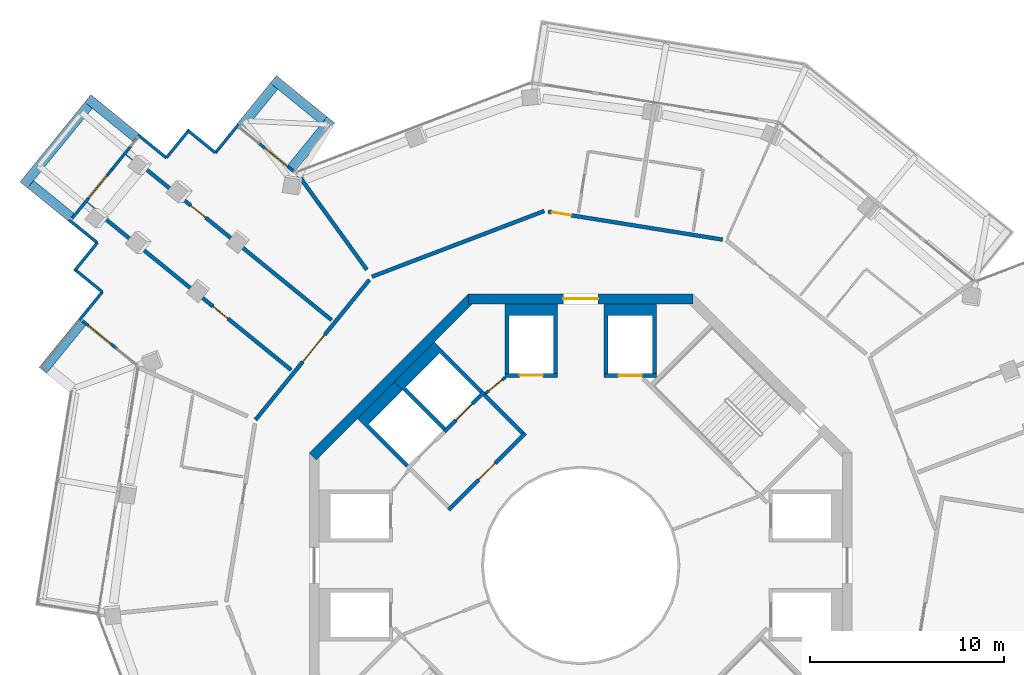
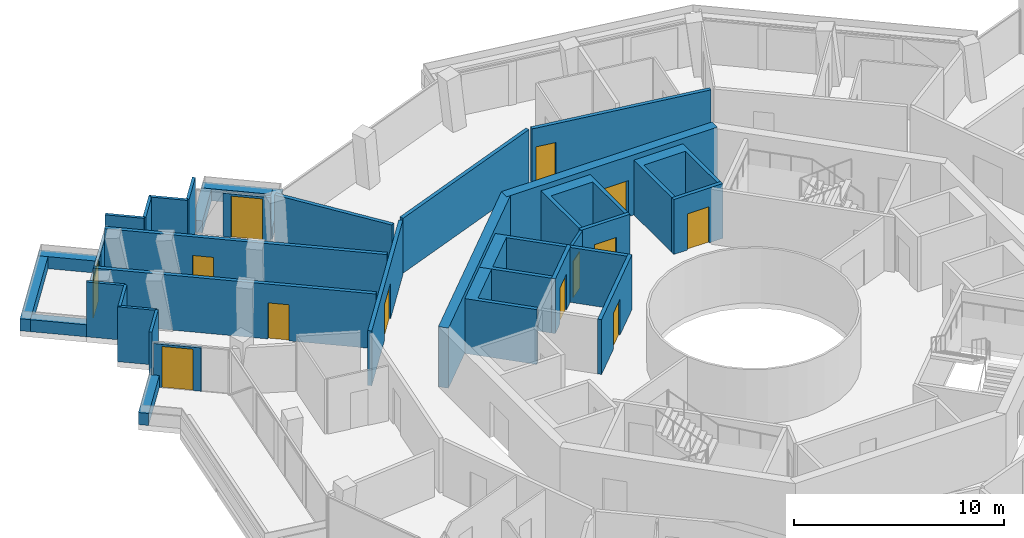
# One storey, part 18 of 23: 37 walls, 13 doors, 13 openings.
"""IFC4 building model written with IfcOpenShell, lengths in metres."""

from ifc_helpers import new_model, si_unit, direction, frame, frame_2d, origin, place, context, subcontext, project, spatial, polyline, rectangle, outline, extrude, material, layer, layer_set, type_object, element, fill, save


model = new_model("IFC4")

# Units and contexts
model_context = context("Model", 3, precision=1e-05, world=origin(), true_north=direction((0.0, 1.0)))
body_context = subcontext(model_context, "Body", "Model", "MODEL_VIEW")
ifc_project = project(units=[si_unit("LENGTHUNIT", "METRE"), si_unit("AREAUNIT", "SQUARE_METRE"), si_unit("VOLUMEUNIT", "CUBIC_METRE"), si_unit("PLANEANGLEUNIT", "RADIAN"), si_unit("MASSUNIT", "GRAM", prefix="KILO")], contexts=[model_context])

# Site, building, storey
site_placement = place(None, origin())
site = spatial("IfcSite", under=ifc_project, at=site_placement, CompositionType="ELEMENT")
building_placement = place(site_placement, origin())
building = spatial("IfcBuilding", under=site, at=building_placement, Name="Verdalira Terraces Hotel", CompositionType="ELEMENT")
storey_placement = place(building_placement, frame((0.0, 0.0, 241.0)))
storey = spatial("IfcBuildingStorey", under=building, at=storey_placement, Name="L59", CompositionType="ELEMENT", Elevation=241.0)

# Walls
ifc_material_1 = material(Name="Concrete C40", Category="concrete")
ifc_layer_1 = layer(ifc_material_1, 0.5)
ifc_layer_set_1 = layer_set([ifc_layer_1], Name="Balcony planter trough with tree")
wall_type_1 = type_object("IfcWallType", Name="Balcony planter trough with tree", PredefinedType="SOLIDWALL", material=ifc_layer_set_1)
wall_1_placement = place(storey_placement, frame((-22.946289, 22.076904, 0.0), z_axis=(0.0, 0.0, 1.0), x_axis=(-0.775810449, 0.630966043, 0.0)))
element("IfcWall", 1, at=wall_1_placement, inside=storey, type_object=wall_type_1, Name="Balcony planter", PredefinedType="SOLIDWALL", context=body_context, shape_type="SweptSolid", body=[
    extrude(rectangle(XDim=3.199219, YDim=0.5, at=frame_2d((1.599609, 0.0))), origin(), (0.0, 0.0, 1.0), 0.699951),
])
wall_2_placement = place(storey_placement, frame((-25.39209, 23.743652, 0.0), z_axis=(0.0, 0.0, 1.0), x_axis=(-0.630949804, -0.775823655, 0.0)))
element("IfcWall", 2, at=wall_2_placement, inside=storey, type_object=wall_type_1, Name="Balcony planter", PredefinedType="SOLIDWALL", context=body_context, shape_type="SweptSolid", body=[
    extrude(rectangle(XDim=5.300049, YDim=0.5, at=frame_2d((2.649902, 0.0))), origin(), (0.0, 0.0, 1.0), 0.699951),
])
wall_3_placement = place(storey_placement, frame((-28.384277, 19.667969, 0.0), z_axis=(0.0, 0.0, 1.0), x_axis=(0.775840005, -0.6309297, 0.0)))
element("IfcWall", 3, at=wall_3_placement, inside=storey, type_object=wall_type_1, Name="Balcony planter", PredefinedType="SOLIDWALL", context=body_context, shape_type="SweptSolid", body=[
    extrude(rectangle(XDim=2.698975, YDim=0.5, at=frame_2d((1.349609, 0.0))), origin(), (0.0, 0.0, 1.0), 0.699951),
])
for number, where, z_axis, x_axis, name in (
    (4, (-25.732422, 12.547607, 0.0), (0.0, 0.0, 1.0), (-0.630920107, -0.775847806, 0.0), "Balcony planter"),
    (5, (-14.912354, 20.50708, 0.0), (0.0, 0.0, 1.0), (0.630920107, 0.775847806, 0.0), "Balcony planter"),
):
    element("IfcWall", number, at=place(storey_placement, frame(where, z_axis=z_axis, x_axis=x_axis)), inside=storey, type_object=wall_type_1, Name=name, PredefinedType="SOLIDWALL", context=body_context, shape_type="SweptSolid", body=[
        extrude(rectangle(XDim=3.198975, YDim=0.5, at=frame_2d((1.599609, 0.0))), origin(), (0.0, 0.0, 1.0), 0.699951),
    ])
wall_4_placement = place(storey_placement, frame((-13.245605, 22.952637, 0.0), z_axis=(0.0, 0.0, 1.0), x_axis=(-0.77581498, 0.630960471, 0.0)))
element("IfcWall", 6, at=wall_4_placement, inside=storey, type_object=wall_type_1, Name="Balcony planter", PredefinedType="SOLIDWALL", context=body_context, shape_type="SweptSolid", body=[
    extrude(rectangle(XDim=3.372559, YDim=0.5, at=frame_2d((1.686279, 0.0))), origin(), (0.0, 0.0, 1.0), 0.699951),
])
wall_5_placement = place(storey_placement, frame((-15.825928, 24.729004, 0.0), z_axis=(0.0, 0.0, 1.0), x_axis=(-0.6309297, -0.775840005, 0.0)))
element("IfcWall", 7, at=wall_5_placement, inside=storey, type_object=wall_type_1, Name="Balcony planter", PredefinedType="SOLIDWALL", context=body_context, shape_type="SweptSolid", body=[
    extrude(rectangle(XDim=2.698975, YDim=0.5, at=frame_2d((1.349609, 0.0))), origin(), (0.0, 0.0, 1.0), 0.699951),
])
ifc_material_2 = material(Name="Concrete C50", Category="concrete")
ifc_layer_2 = layer(ifc_material_2, 0.199951171875)
ifc_layer_set_2 = layer_set([ifc_layer_2], Name="Core RC wall 200 C50")
wall_type_2 = type_object("IfcWallType", Name="Core RC wall 200 C50", PredefinedType="SOLIDWALL", material=ifc_layer_set_2)
wall_6_placement = place(storey_placement, origin())
element("IfcWall", 8, at=wall_6_placement, inside=storey, type_object=wall_type_2, Name="L59 shaft wall N1", PredefinedType="SOLIDWALL", context=body_context, shape_type="SweptSolid", body=[
    extrude(outline(polyline([(3.899902, 9.899902), (3.699951, 9.899902), (3.699951, 12.899902), (1.399902, 12.899902), (1.399902, 9.899902), (1.199951, 9.899902), (1.199951, 13.5), (3.899902, 13.5), (3.899902, 9.899902)])), origin(), (0.0, 0.0, 1.0), 3.189941),
])

# Wall, opening, door
wall_7_placement = place(storey_placement, frame((1.199951, 9.800049, 0.0), z_axis=(0.0, 0.0, 1.0), x_axis=(1.0, 0.0, 0.0)))
wall_7 = element("IfcWall", 9, at=wall_7_placement, inside=storey, type_object=wall_type_2, Name="L59 shaft front wall N1", PredefinedType="SOLIDWALL", context=body_context, shape_type="SweptSolid", body=[
    extrude(rectangle(XDim=2.699951, YDim=0.199951, at=frame_2d((1.350098, 0.0))), origin(), (0.0, 0.0, 1.0), 3.189941),
])
opening_1_placement = place(wall_7_placement, frame((0.75, 0.0, 0.0)))
opening_1 = element("IfcOpeningElement", 10, at=opening_1_placement, cuts=wall_7, Name="Opening LD-L59-804", PredefinedType="OPENING", context=body_context, shape_type="SweptSolid", body=[
    extrude(rectangle(XDim=1.199951, YDim=2.100098, at=frame_2d((0.600098, 1.050049))), frame((0.0, 0.109863, 0.0), z_axis=(0.0, -1.0, 0.0), x_axis=(1.0, 0.0, 0.0)), (0.0, 0.0, 1.0), 0.219971),
])
ifc_material_3 = material(Name="Stainless steel", Category="steel")
door_type_1 = type_object("IfcDoorType", Name="Landing door 1200 x 2100", OperationType="NOTDEFINED", PredefinedType="DOOR", material=ifc_material_3)
door_1_placement = place(opening_1_placement, origin())
door_1 = element("IfcDoor", 11, at=door_1_placement, inside=storey, type_object=door_type_1, Name="Lift landing door HR3 L59", OperationType="DOUBLE_DOOR_SLIDING", OverallHeight=2.10009765625, OverallWidth=1.199951171875, PredefinedType="DOOR", context=body_context, shape_type="SweptSolid", body=[
    extrude(rectangle(XDim=1.199951, YDim=2.100098, at=frame_2d((0.600098, 1.050049))), frame((0.0, 0.024902, 0.0), z_axis=(0.0, -1.0, 0.0), x_axis=(1.0, 0.0, 0.0)), (0.0, 0.0, 1.0), 0.050049),
])
fill(opening_1, door_1)

# Wall
wall_8_placement = place(storey_placement, origin())
element("IfcWall", 12, at=wall_8_placement, inside=storey, type_object=wall_type_2, Name="L59 shaft wall N2", PredefinedType="SOLIDWALL", context=body_context, shape_type="SweptSolid", body=[
    extrude(outline(polyline([(-3.899902, 13.5), (-1.199951, 13.5), (-1.199951, 9.899902), (-1.399902, 9.899902), (-1.399902, 12.899902), (-3.699951, 12.899902), (-3.699951, 9.899902), (-3.899902, 9.899902), (-3.899902, 13.5)])), origin(), (0.0, 0.0, 1.0), 3.189941),
])

# Wall, opening, door
wall_9_placement = place(storey_placement, frame((-1.199951, 9.800049, 0.0), z_axis=(0.0, 0.0, 1.0), x_axis=(-1.0, 0.0, 0.0)))
wall_9 = element("IfcWall", 13, at=wall_9_placement, inside=storey, type_object=wall_type_2, Name="L59 shaft front wall N2", PredefinedType="SOLIDWALL", context=body_context, shape_type="SweptSolid", body=[
    extrude(rectangle(XDim=2.699951, YDim=0.199951, at=frame_2d((1.350098, 0.0))), origin(), (0.0, 0.0, 1.0), 3.189941),
])
opening_2_placement = place(wall_9_placement, frame((0.75, 0.0, 0.0)))
opening_2 = element("IfcOpeningElement", 14, at=opening_2_placement, cuts=wall_9, Name="Opening LD-L59-805", PredefinedType="OPENING", context=body_context, shape_type="SweptSolid", body=[
    extrude(rectangle(XDim=1.199951, YDim=2.100098, at=frame_2d((0.600098, 1.050049))), frame((0.0, 0.109863, 0.0), z_axis=(0.0, -1.0, 0.0), x_axis=(1.0, 0.0, 0.0)), (0.0, 0.0, 1.0), 0.219971),
])
door_2_placement = place(opening_2_placement, origin())
door_2 = element("IfcDoor", 15, at=door_2_placement, inside=storey, type_object=door_type_1, Name="Lift landing door HR4 L59", OperationType="DOUBLE_DOOR_SLIDING", OverallHeight=2.10009765625, OverallWidth=1.199951171875, PredefinedType="DOOR", context=body_context, shape_type="SweptSolid", body=[
    extrude(rectangle(XDim=1.199951, YDim=2.100098, at=frame_2d((0.600098, 1.050049))), frame((0.0, 0.024902, 0.0), z_axis=(0.0, -1.0, 0.0), x_axis=(1.0, 0.0, 0.0)), (0.0, 0.0, 1.0), 0.050049),
])
fill(opening_2, door_2)

# Wall
wall_10_placement = place(storey_placement, origin())
element("IfcWall", 16, at=wall_10_placement, inside=storey, type_object=wall_type_2, Name="L59 shaft wall F1", PredefinedType="SOLIDWALL", context=body_context, shape_type="SweptSolid", body=[
    extrude(outline(polyline([(-9.616699, 9.475098), (-7.565918, 11.525879), (-5.055908, 9.015625), (-5.197266, 8.874268), (-7.283203, 10.960205), (-9.051025, 9.192383), (-6.965088, 7.106445), (-7.106445, 6.965088), (-9.616699, 9.475098)])), origin(), (0.0, 0.0, 1.0), 3.189941),
])

# Wall, opening, door
wall_11_placement = place(storey_placement, frame((-4.985107, 8.944824, 0.0), z_axis=(0.0, 0.0, 1.0), x_axis=(-0.707106781, -0.707106781, 0.0)))
wall_11 = element("IfcWall", 17, at=wall_11_placement, inside=storey, type_object=wall_type_2, Name="L59 shaft front wall F1", PredefinedType="SOLIDWALL", context=body_context, shape_type="SweptSolid", body=[
    extrude(rectangle(XDim=2.899902, YDim=0.199951, at=frame_2d((1.449951, 0.0))), origin(), (0.0, 0.0, 1.0), 3.189941),
])
opening_3_placement = place(wall_11_placement, frame((0.850098, 0.0, 0.0)))
opening_3 = element("IfcOpeningElement", 18, at=opening_3_placement, cuts=wall_11, Name="Opening LD-L59-808", PredefinedType="OPENING", context=body_context, shape_type="SweptSolid", body=[
    extrude(rectangle(XDim=1.199951, YDim=2.100098, at=frame_2d((0.600098, 1.050049))), frame((0.0, 0.109863, 0.0), z_axis=(0.0, -1.0, 0.0), x_axis=(1.0, 0.0, 0.0)), (0.0, 0.0, 1.0), 0.219971),
])
door_3_placement = place(opening_3_placement, origin())
door_3 = element("IfcDoor", 19, at=door_3_placement, inside=storey, type_object=door_type_1, Name="Lift landing door LF11 L59", OperationType="DOUBLE_DOOR_SLIDING", OverallHeight=2.10009765625, OverallWidth=1.199951171875, PredefinedType="DOOR", context=body_context, shape_type="SweptSolid", body=[
    extrude(rectangle(XDim=1.199951, YDim=2.100098, at=frame_2d((0.600098, 1.050049))), frame((0.0, 0.024902, 0.0), z_axis=(0.0, -1.0, 0.0), x_axis=(1.0, 0.0, 0.0)), (0.0, 0.0, 1.0), 0.050049),
])
fill(opening_3, door_3)

# Wall
wall_12_placement = place(storey_placement, origin())
element("IfcWall", 20, at=wall_12_placement, inside=storey, type_object=wall_type_2, Name="L59 shaft wall F2", PredefinedType="SOLIDWALL", context=body_context, shape_type="SweptSolid", body=[
    extrude(outline(polyline([(-11.525879, 7.565918), (-9.616699, 9.475098), (-9.192383, 9.051025), (-10.960205, 7.283203), (-8.874268, 5.197266), (-9.015625, 5.055908), (-11.525879, 7.565918)])), origin(), (0.0, 0.0, 1.0), 3.189941),
])

# Wall, opening, door
wall_13_placement = place(storey_placement, frame((-2.86377, 6.823486, 0.0), z_axis=(0.0, 0.0, 1.0), x_axis=(-0.707106781, -0.707106781, 0.0)))
wall_13 = element("IfcWall", 21, at=wall_13_placement, inside=storey, type_object=wall_type_2, Name="L59 fire lobby wall", PredefinedType="SOLIDWALL", context=body_context, shape_type="SweptSolid", body=[
    extrude(rectangle(XDim=5.599854, YDim=0.199951, at=frame_2d((2.799805, 0.0))), origin(), (0.0, 0.0, 1.0), 3.189941),
])
opening_4_placement = place(wall_13_placement, frame((2.199951, 0.0, 0.0)))
opening_4 = element("IfcOpeningElement", 22, at=opening_4_placement, cuts=wall_13, Name="Opening L59-819", PredefinedType="OPENING", context=body_context, shape_type="SweptSolid", body=[
    extrude(rectangle(XDim=1.199951, YDim=2.100098, at=frame_2d((0.600098, 1.050049))), frame((0.0, 0.109863, 0.0), z_axis=(0.0, -1.0, 0.0), x_axis=(1.0, 0.0, 0.0)), (0.0, 0.0, 1.0), 0.219971),
])
ifc_material_4 = material(Name="Steel fire door", Category="steel")
door_type_2 = type_object("IfcDoorType", Name="Lobby door 1200 x 2100", OperationType="NOTDEFINED", PredefinedType="DOOR", material=ifc_material_4)
door_4_placement = place(opening_4_placement, origin())
door_4 = element("IfcDoor", 23, at=door_4_placement, inside=storey, type_object=door_type_2, Name="Fire lobby door L59", OperationType="SINGLE_SWING_LEFT", OverallHeight=2.10009765625, OverallWidth=1.199951171875, PredefinedType="DOOR", context=body_context, shape_type="SweptSolid", body=[
    extrude(rectangle(XDim=1.199951, YDim=2.100098, at=frame_2d((0.600098, 1.050049))), frame((0.0, 0.024902, 0.0), z_axis=(0.0, -1.0, 0.0), x_axis=(1.0, 0.0, 0.0)), (0.0, 0.0, 1.0), 0.050049),
])
fill(opening_4, door_4)

# Wall
wall_14_placement = place(storey_placement, frame((-3.005127, 6.823486, 0.0), z_axis=(0.0, 0.0, 1.0), x_axis=(-0.707106781, 0.707106781, 0.0)))
element("IfcWall", 24, at=wall_14_placement, inside=storey, type_object=wall_type_2, Name="L59 fire lobby wall", PredefinedType="SOLIDWALL", context=body_context, shape_type="SweptSolid", body=[
    extrude(rectangle(XDim=2.800049, YDim=0.199951, at=frame_2d((1.399902, 0.0))), origin(), (0.0, 0.0, 1.0), 3.189941),
])

# Wall, opening, door
ifc_material_5 = material(Name="Gypsum board partition")
ifc_layer_3 = layer(ifc_material_5, 0.14990234375)
ifc_layer_set_3 = layer_set([ifc_layer_3], Name="Core partition 150 mm")
wall_type_3 = type_object("IfcWallType", Name="Core partition 150 mm", PredefinedType="PARTITIONING", material=ifc_layer_set_3)
wall_15_placement = place(storey_placement, frame((-3.899902, 9.699951, 0.0), z_axis=(0.0, 0.0, 1.0), x_axis=(-0.775559878, -0.631274009, 0.0)))
wall_15 = element("IfcWall", 25, at=wall_15_placement, inside=storey, type_object=wall_type_3, Name="Room partition L59", PredefinedType="PARTITIONING", context=body_context, shape_type="SweptSolid", body=[
    extrude(rectangle(XDim=1.307861, YDim=0.149902, at=frame_2d((0.653809, 0.0))), origin(), (0.0, 0.0, 1.0), 3.189941),
])
opening_5_placement = place(wall_15_placement, frame((0.204102, 0.0, 0.0)))
opening_5 = element("IfcOpeningElement", 26, at=opening_5_placement, cuts=wall_15, Name="Opening L59-820", PredefinedType="OPENING", context=body_context, shape_type="SweptSolid", body=[
    extrude(rectangle(XDim=0.899902, YDim=2.100098, at=frame_2d((0.449951, 1.050049))), frame((0.0, 0.084961, 0.0), z_axis=(0.0, -1.0, 0.0), x_axis=(1.0, 0.0, 0.0)), (0.0, 0.0, 1.0), 0.169922),
])
ifc_material_6 = material(Name="Steel fire door", Category="steel")
door_type_3 = type_object("IfcDoorType", Name="Core room door 900 x 2100", OperationType="NOTDEFINED", PredefinedType="DOOR", material=ifc_material_6)
door_5_placement = place(opening_5_placement, origin())
door_5 = element("IfcDoor", 27, at=door_5_placement, inside=storey, type_object=door_type_3, Name="Door L59 room2", OperationType="SINGLE_SWING_LEFT", OverallHeight=2.10009765625, OverallWidth=0.89990234375, PredefinedType="DOOR", context=body_context, shape_type="SweptSolid", body=[
    extrude(rectangle(XDim=0.899902, YDim=2.100098, at=frame_2d((0.449951, 1.050049))), frame((0.0, 0.024902, 0.0), z_axis=(0.0, -1.0, 0.0), x_axis=(1.0, 0.0, 0.0)), (0.0, 0.0, 1.0), 0.050049),
])
fill(opening_5, door_5)

ifc_material_7 = material(Name="Concrete C50", Category="concrete")
ifc_layer_4 = layer(ifc_material_7, 0.5)
ifc_layer_set_4 = layer_set([ifc_layer_4], Name="Core wall 500 C50")
wall_type_4 = type_object("IfcWallType", Name="Core wall 500 C50", PredefinedType="SHEAR", material=ifc_layer_set_4)
wall_16_placement = place(storey_placement, frame((5.799072, 13.75, 0.0), z_axis=(0.0, 0.0, 1.0), x_axis=(-1.0, 0.0, 0.0)))
wall_16 = element("IfcWall", 28, at=wall_16_placement, inside=storey, type_object=wall_type_4, Name="Core wall CW-L59-3", PredefinedType="SHEAR", context=body_context, shape_type="SweptSolid", body=[
    extrude(rectangle(XDim=11.598145, YDim=0.5, at=frame_2d((5.799072, 0.0))), origin(), (0.0, 0.0, 1.0), 3.5),
])
opening_6_placement = place(wall_16_placement, frame((4.898926, 0.0, 0.0)))
opening_6 = element("IfcOpeningElement", 29, at=opening_6_placement, cuts=wall_16, Name="Opening L59-814", PredefinedType="OPENING", context=body_context, shape_type="SweptSolid", body=[
    extrude(rectangle(XDim=1.800049, YDim=2.100098, at=frame_2d((0.899902, 1.050049))), frame((0.0, 0.26001, 0.0), z_axis=(0.0, -1.0, 0.0), x_axis=(1.0, 0.0, 0.0)), (0.0, 0.0, 1.0), 0.52002),
])
ifc_material_8 = material(Name="Steel fire door", Category="steel")
door_type_4 = type_object("IfcDoorType", Name="Core entry door pair 1800 x 2100", OperationType="NOTDEFINED", PredefinedType="DOOR", material=ifc_material_8)
door_6_placement = place(opening_6_placement, origin())
door_6 = element("IfcDoor", 30, at=door_6_placement, inside=storey, type_object=door_type_4, Name="Core entry door L59 2", OperationType="DOUBLE_DOOR_SINGLE_SWING", OverallHeight=2.10009765625, OverallWidth=1.800048828125, PredefinedType="DOOR", context=body_context, shape_type="SweptSolid", body=[
    extrude(rectangle(XDim=1.800049, YDim=2.100098, at=frame_2d((0.899902, 1.050049))), frame((0.0, 0.024902, 0.0), z_axis=(0.0, -1.0, 0.0), x_axis=(1.0, 0.0, 0.0)), (0.0, 0.0, 1.0), 0.050049),
])
fill(opening_6, door_6)

# Wall
wall_17_placement = place(storey_placement, frame((-5.622314, 13.823242, 0.0), z_axis=(0.0, 0.0, 1.0), x_axis=(-0.707106781, -0.707106781, 0.0)))
element("IfcWall", 31, at=wall_17_placement, inside=storey, type_object=wall_type_4, Name="Core wall CW-L59-4", PredefinedType="SHEAR", context=body_context, shape_type="SweptSolid", body=[
    extrude(rectangle(XDim=11.5979, YDim=0.5, at=frame_2d((5.798828, 0.0))), origin(), (0.0, 0.0, 1.0), 3.5),
])

# Wall, opening, door
ifc_material_9 = material(Name="Fire-rated gypsum board wall")
ifc_layer_5 = layer(ifc_material_9, 0.199951171875)
ifc_layer_set_5 = layer_set([ifc_layer_5], Name="Demising wall 200 mm")
wall_type_5 = type_object("IfcWallType", Name="Demising wall 200 mm", PredefinedType="SOLIDWALL", material=ifc_layer_set_5)
wall_18_placement = place(storey_placement, frame((-14.943359, 10.087891, 0.0), z_axis=(0.0, 0.0, 1.0), x_axis=(-0.775818437, 0.630956222, 0.0)))
wall_18 = element("IfcWall", 32, at=wall_18_placement, inside=storey, type_object=wall_type_5, Name="Demising wall", PredefinedType="SOLIDWALL", context=body_context, shape_type="SweptSolid", body=[
    extrude(rectangle(XDim=13.622559, YDim=0.199951, at=frame_2d((6.811279, 0.0))), origin(), (0.0, 0.0, 1.0), 3.189941),
])
opening_7_placement = place(wall_18_placement, frame((4.199951, 0.0, 0.0)))
opening_7 = element("IfcOpeningElement", 33, at=opening_7_placement, cuts=wall_18, Name="Opening L59-103", PredefinedType="OPENING", context=body_context, shape_type="SweptSolid", body=[
    extrude(rectangle(XDim=1.0, YDim=2.100098, at=frame_2d((0.5, 1.050049))), frame((0.0, 0.109863, 0.0), z_axis=(0.0, -1.0, 0.0), x_axis=(1.0, 0.0, 0.0)), (0.0, 0.0, 1.0), 0.219971),
])
ifc_material_10 = material(Name="Timber fire door", Category="wood")
door_type_5 = type_object("IfcDoorType", Name="Public room door 1000 x 2100", OperationType="NOTDEFINED", PredefinedType="DOOR", material=ifc_material_10)
door_7_placement = place(opening_7_placement, origin())
door_7 = element("IfcDoor", 34, at=door_7_placement, inside=storey, type_object=door_type_5, Name="Public room door 5901", OperationType="SINGLE_SWING_LEFT", OverallHeight=2.10009765625, OverallWidth=1.0, PredefinedType="DOOR", context=body_context, shape_type="SweptSolid", body=[
    extrude(rectangle(XDim=1.0, YDim=2.100098, at=frame_2d((0.5, 1.050049))), frame((0.0, 0.024902, 0.0), z_axis=(0.0, -1.0, 0.0), x_axis=(1.0, 0.0, 0.0)), (0.0, 0.0, 1.0), 0.050049),
])
fill(opening_7, door_7)

wall_19_placement = place(storey_placement, frame((-23.420654, 21.254639, 0.0), z_axis=(0.0, 0.0, 1.0), x_axis=(0.775834344, -0.630936662, 0.0)))
wall_19 = element("IfcWall", 35, at=wall_19_placement, inside=storey, type_object=wall_type_5, Name="Demising wall", PredefinedType="SOLIDWALL", context=body_context, shape_type="SweptSolid", body=[
    extrude(rectangle(XDim=13.622559, YDim=0.199951, at=frame_2d((6.811279, 0.0))), origin(), (0.0, 0.0, 1.0), 3.189941),
])
opening_8_placement = place(wall_19_placement, frame((4.25, 0.0, 0.0)))
opening_8 = element("IfcOpeningElement", 36, at=opening_8_placement, cuts=wall_19, Name="Opening L59-102", PredefinedType="OPENING", context=body_context, shape_type="SweptSolid", body=[
    extrude(rectangle(XDim=1.0, YDim=2.100098, at=frame_2d((0.5, 1.050049))), frame((0.0, 0.109863, 0.0), z_axis=(0.0, -1.0, 0.0), x_axis=(1.0, 0.0, 0.0)), (0.0, 0.0, 1.0), 0.219971),
])
door_8_placement = place(opening_8_placement, origin())
door_8 = element("IfcDoor", 37, at=door_8_placement, inside=storey, type_object=door_type_5, Name="Public room door 5901", OperationType="SINGLE_SWING_LEFT", OverallHeight=2.10009765625, OverallWidth=1.0, PredefinedType="DOOR", context=body_context, shape_type="SweptSolid", body=[
    extrude(rectangle(XDim=1.0, YDim=2.100098, at=frame_2d((0.5, 1.050049))), frame((0.0, 0.024902, 0.0), z_axis=(0.0, -1.0, 0.0), x_axis=(1.0, 0.0, 0.0)), (0.0, 0.0, 1.0), 0.050049),
])
fill(opening_8, door_8)

# Wall
ifc_material_11 = material(Name="Fire-rated gypsum board wall")
ifc_layer_6 = layer(ifc_material_11, 0.199951171875)
ifc_layer_set_6 = layer_set([ifc_layer_6], Name="Demising wall 200 mm to beam soffit")
wall_type_6 = type_object("IfcWallType", Name="Demising wall 200 mm to beam soffit", PredefinedType="SOLIDWALL", material=ifc_layer_set_6)
wall_20_placement = place(storey_placement, frame((-14.631104, 20.227051, 0.0), z_axis=(0.0, 0.0, 1.0), x_axis=(0.58609365, -0.810243317, 0.0)))
element("IfcWall", 38, at=wall_20_placement, inside=storey, type_object=wall_type_6, Name="Demising wall", PredefinedType="SOLIDWALL", context=body_context, shape_type="SweptSolid", body=[
    extrude(rectangle(XDim=6.13208, YDim=0.199951, at=frame_2d((3.065918, 0.0))), origin(), (0.0, 0.0, 1.0), 2.689941),
])

# Wall, opening, door
ifc_material_12 = material(Name="Fire-rated gypsum board wall")
ifc_layer_7 = layer(ifc_material_12, 0.199951171875)
ifc_layer_set_7 = layer_set([ifc_layer_7], Name="Guest corridor wall 200 mm")
wall_type_7 = type_object("IfcWallType", Name="Guest corridor wall 200 mm", PredefinedType="SOLIDWALL", material=ifc_layer_set_7)
wall_21_placement = place(storey_placement, frame((-16.779541, 7.512939, 0.0), z_axis=(0.0, 0.0, 1.0), x_axis=(0.630941799, 0.775830166, 0.0)))
wall_21 = element("IfcWall", 39, at=wall_21_placement, inside=storey, type_object=wall_type_7, Name="Guest corridor wall", PredefinedType="SOLIDWALL", context=body_context, shape_type="SweptSolid", body=[
    extrude(rectangle(XDim=9.316406, YDim=0.199951, at=frame_2d((4.658203, 0.0))), origin(), (0.0, 0.0, 1.0), 3.189941),
])
opening_9_placement = place(wall_21_placement, frame((3.856445, 0.0, 0.0)))
opening_9 = element("IfcOpeningElement", 40, at=opening_9_placement, cuts=wall_21, Name="Opening L59-101", PredefinedType="OPENING", context=body_context, shape_type="SweptSolid", body=[
    extrude(rectangle(XDim=1.800049, YDim=2.100098, at=frame_2d((0.899902, 1.050049))), frame((0.0, 0.109863, 0.0), z_axis=(0.0, -1.0, 0.0), x_axis=(1.0, 0.0, 0.0)), (0.0, 0.0, 1.0), 0.219971),
])
ifc_material_13 = material(Name="Timber fire door", Category="wood")
door_type_6 = type_object("IfcDoorType", Name="Public room double door 1800 x 2100", OperationType="NOTDEFINED", PredefinedType="DOOR", material=ifc_material_13)
door_9_placement = place(opening_9_placement, origin())
door_9 = element("IfcDoor", 41, at=door_9_placement, inside=storey, type_object=door_type_6, Name="Public room double door 5901", OperationType="DOUBLE_DOOR_SINGLE_SWING", OverallHeight=2.10009765625, OverallWidth=1.800048828125, PredefinedType="DOOR", context=body_context, shape_type="SweptSolid", body=[
    extrude(rectangle(XDim=1.800049, YDim=2.100098, at=frame_2d((0.899902, 1.050049))), frame((0.0, 0.024902, 0.0), z_axis=(0.0, -1.0, 0.0), x_axis=(1.0, 0.0, 0.0)), (0.0, 0.0, 1.0), 0.050049),
])
fill(opening_9, door_9)

# Wall
wall_22_placement = place(storey_placement, frame((-1.883789, 18.287842, 0.0), z_axis=(0.0, 0.0, 1.0), x_axis=(-0.934333208, -0.356400696, 0.0)))
element("IfcWall", 42, at=wall_22_placement, inside=storey, type_object=wall_type_7, Name="Guest corridor wall", PredefinedType="SOLIDWALL", context=body_context, shape_type="SweptSolid", body=[
    extrude(rectangle(XDim=9.516357, YDim=0.199951, at=frame_2d((4.758301, 0.0))), origin(), (0.0, 0.0, 1.0), 3.189941),
])

# Wall, opening, door
wall_23_placement = place(storey_placement, frame((-1.685303, 18.256348, 0.0), z_axis=(0.0, 0.0, 1.0), x_axis=(0.987355758, -0.158520051, 0.0)))
wall_23 = element("IfcWall", 43, at=wall_23_placement, inside=storey, type_object=wall_type_7, Name="Guest corridor wall", PredefinedType="SOLIDWALL", context=body_context, shape_type="SweptSolid", body=[
    extrude(rectangle(XDim=9.115967, YDim=0.199951, at=frame_2d((4.558105, 0.0))), origin(), (0.0, 0.0, 1.0), 3.189941),
])
opening_10_placement = place(wall_23_placement, frame((0.199951, 0.0, 0.0)))
opening_10 = element("IfcOpeningElement", 44, at=opening_10_placement, cuts=wall_23, Name="Opening L59-127", PredefinedType="OPENING", context=body_context, shape_type="SweptSolid", body=[
    extrude(rectangle(XDim=1.0, YDim=2.100098, at=frame_2d((0.5, 1.050049))), frame((0.0, 0.109863, 0.0), z_axis=(0.0, -1.0, 0.0), x_axis=(1.0, 0.0, 0.0)), (0.0, 0.0, 1.0), 0.219971),
])
ifc_material_14 = material(Name="Timber fire door", Category="wood")
door_type_7 = type_object("IfcDoorType", Name="Guest entry door 1000 x 2100", OperationType="NOTDEFINED", PredefinedType="DOOR", material=ifc_material_14)
door_10_placement = place(opening_10_placement, origin())
door_10 = element("IfcDoor", 45, at=door_10_placement, inside=storey, type_object=door_type_7, Name="Guest entry door 5910", OperationType="SINGLE_SWING_LEFT", OverallHeight=2.10009765625, OverallWidth=1.0, PredefinedType="DOOR", context=body_context, shape_type="SweptSolid", body=[
    extrude(rectangle(XDim=1.0, YDim=2.100098, at=frame_2d((0.5, 1.050049))), frame((0.0, 0.024902, 0.0), z_axis=(0.0, -1.0, 0.0), x_axis=(1.0, 0.0, 0.0)), (0.0, 0.0, 1.0), 0.050049),
])
fill(opening_10, door_10)

# Walls
ifc_material_15 = material(Name="Terracotta cladding", Category="masonry")
ifc_layer_8 = layer(ifc_material_15, 0.14990234375)
ifc_layer_set_8 = layer_set([ifc_layer_8], Name="Terracotta clad wall 150")
wall_type_8 = type_object("IfcWallType", Name="Terracotta clad wall 150", PredefinedType="SOLIDWALL", material=ifc_layer_set_8)
wall_24_placement = place(storey_placement, frame((-17.665283, 22.744629, 0.0), z_axis=(0.0, 0.0, 1.0), x_axis=(-0.630930769, -0.775839136, 0.0)))
element("IfcWall", 46, at=wall_24_placement, inside=storey, type_object=wall_type_8, Name="Terracotta cladding wall", PredefinedType="SOLIDWALL", context=body_context, shape_type="SweptSolid", body=[
    extrude(rectangle(XDim=1.875244, YDim=0.149902, at=frame_2d((0.9375, 0.0))), origin(), (0.0, 0.0, 1.0), 3.189941),
])
wall_25_placement = place(storey_placement, frame((-18.848389, 21.289795, 0.0), z_axis=(0.0, 0.0, 1.0), x_axis=(-0.775815203, 0.630960197, 0.0)))
element("IfcWall", 47, at=wall_25_placement, inside=storey, type_object=wall_type_8, Name="Terracotta cladding wall", PredefinedType="SOLIDWALL", context=body_context, shape_type="SweptSolid", body=[
    extrude(rectangle(XDim=1.800049, YDim=0.149902, at=frame_2d((0.899902, 0.0))), origin(), (0.0, 0.0, 1.0), 3.189941),
])
wall_26_placement = place(storey_placement, frame((-20.19751, 22.483887, 0.0), z_axis=(0.0, 0.0, 1.0), x_axis=(-0.630930769, -0.775839136, 0.0)))
element("IfcWall", 48, at=wall_26_placement, inside=storey, type_object=wall_type_8, Name="Terracotta cladding wall", PredefinedType="SOLIDWALL", context=body_context, shape_type="SweptSolid", body=[
    extrude(rectangle(XDim=1.875244, YDim=0.149902, at=frame_2d((0.9375, 0.0))), origin(), (0.0, 0.0, 1.0), 3.189941),
])
for number, where, z_axis, x_axis, name in (
    (49, (-21.380615, 21.029053, 0.0), (0.0, 0.0, 1.0), (-0.7757873, 0.630994504, 0.0), "Terracotta cladding wall"),
    (50, (-26.399902, 17.828857, 0.0), (0.0, 0.0, 1.0), (0.7757873, -0.630994504, 0.0), "Terracotta cladding wall"),
):
    element("IfcWall", number, at=place(storey_placement, frame(where, z_axis=z_axis, x_axis=x_axis)), inside=storey, type_object=wall_type_8, Name=name, PredefinedType="SOLIDWALL", context=body_context, shape_type="SweptSolid", body=[
        extrude(rectangle(XDim=1.875, YDim=0.149902, at=frame_2d((0.9375, 0.0))), origin(), (0.0, 0.0, 1.0), 3.189941),
    ])
wall_27_placement = place(storey_placement, frame((-24.945312, 16.645752, 0.0), z_axis=(0.0, 0.0, 1.0), x_axis=(-0.630960197, -0.775815203, 0.0)))
element("IfcWall", 51, at=wall_27_placement, inside=storey, type_object=wall_type_8, Name="Terracotta cladding wall", PredefinedType="SOLIDWALL", context=body_context, shape_type="SweptSolid", body=[
    extrude(rectangle(XDim=1.800049, YDim=0.149902, at=frame_2d((0.899902, 0.0))), origin(), (0.0, 0.0, 1.0), 3.189941),
])
for number, where, z_axis, x_axis, name in (
    (52, (-26.13916, 15.296631, 0.0), (0.0, 0.0, 1.0), (0.7757873, -0.630994504, 0.0), "Terracotta cladding wall"),
    (53, (-24.68457, 14.113525, 0.0), (0.0, 0.0, 1.0), (-0.630994504, -0.7757873, 0.0), "Terracotta cladding wall"),
):
    element("IfcWall", number, at=place(storey_placement, frame(where, z_axis=z_axis, x_axis=x_axis)), inside=storey, type_object=wall_type_8, Name=name, PredefinedType="SOLIDWALL", context=body_context, shape_type="SweptSolid", body=[
        extrude(rectangle(XDim=1.875, YDim=0.149902, at=frame_2d((0.9375, 0.0))), origin(), (0.0, 0.0, 1.0), 3.189941),
    ])
ifc_material_16 = material(Name="Terracotta cladding", Category="masonry")
ifc_layer_9 = layer(ifc_material_16, 0.14990234375)
ifc_layer_set_9 = layer_set([ifc_layer_9], Name="Terracotta column pier 150")
wall_type_9 = type_object("IfcWallType", Name="Terracotta column pier 150", PredefinedType="SOLIDWALL", material=ifc_layer_set_9)
wall_28_placement = place(storey_placement, frame((-23.196533, 21.648926, 0.0), z_axis=(0.0, 0.0, 1.0), x_axis=(-0.63100817, -0.775776185, 0.0)))
element("IfcWall", 54, at=wall_28_placement, inside=storey, type_object=wall_type_9, Name="Terracotta column pier", PredefinedType="SOLIDWALL", context=body_context, shape_type="SweptSolid", body=[
    extrude(rectangle(XDim=1.570068, YDim=0.149902, at=frame_2d((0.785156, 0.0))), origin(), (0.0, 0.0, 1.0), 2.524902),
])

# Wall, opening, door
ifc_material_17 = material(Name="Terracotta cladding", Category="masonry")
ifc_layer_10 = layer(ifc_material_17, 0.14990234375)
ifc_layer_set_10 = layer_set([ifc_layer_10], Name="Terracotta door pier 150")
wall_type_10 = type_object("IfcWallType", Name="Terracotta door pier 150", PredefinedType="SOLIDWALL", material=ifc_layer_set_10)
wall_29_placement = place(storey_placement, frame((-14.820801, 20.334473, 0.0), z_axis=(0.0, 0.0, 1.0), x_axis=(-0.775831445, 0.630940226, 0.0)))
wall_29 = element("IfcWall", 55, at=wall_29_placement, inside=storey, type_object=wall_type_10, Name="Terracotta door pier", PredefinedType="SOLIDWALL", context=body_context, shape_type="SweptSolid", body=[
    extrude(rectangle(XDim=2.300049, YDim=0.149902, at=frame_2d((1.149902, 0.0))), origin(), (0.0, 0.0, 1.0), 2.524902),
])
opening_11_placement = place(wall_29_placement, frame((0.399902, 0.0, 0.0)))
opening_11 = element("IfcOpeningElement", 56, at=opening_11_placement, cuts=wall_29, Name="Opening L59-B01", PredefinedType="OPENING", context=body_context, shape_type="SweptSolid", body=[
    extrude(rectangle(XDim=1.5, YDim=2.399902, at=frame_2d((0.75, 1.199951))), frame((0.0, 0.084961, 0.0), z_axis=(0.0, -1.0, 0.0), x_axis=(1.0, 0.0, 0.0)), (0.0, 0.0, 1.0), 0.169922),
])
ifc_material_18 = material(Name="Clear glass", Category="glass")
door_type_8 = type_object("IfcDoorType", Name="Balcony sliding door 1500x2400", OperationType="NOTDEFINED", PredefinedType="DOOR", material=ifc_material_18)
door_11_placement = place(opening_11_placement, origin())
door_11 = element("IfcDoor", 57, at=door_11_placement, inside=storey, type_object=door_type_8, Name="Balcony sliding door", OperationType="SLIDING_TO_LEFT", OverallHeight=2.39990234375, OverallWidth=1.5, PredefinedType="DOOR", context=body_context, shape_type="SweptSolid", body=[
    extrude(rectangle(XDim=1.5, YDim=2.399902, at=frame_2d((0.75, 1.199951))), frame((0.0, 0.024902, 0.0), z_axis=(0.0, -1.0, 0.0), x_axis=(1.0, 0.0, 0.0)), (0.0, 0.0, 1.0), 0.050049),
])
fill(opening_11, door_11)

wall_30_placement = place(storey_placement, frame((-24.187256, 20.430908, 0.0), z_axis=(0.0, 0.0, 1.0), x_axis=(-0.630930882, -0.775839044, 0.0)))
wall_30 = element("IfcWall", 58, at=wall_30_placement, inside=storey, type_object=wall_type_10, Name="Terracotta door pier", PredefinedType="SOLIDWALL", context=body_context, shape_type="SweptSolid", body=[
    extrude(rectangle(XDim=3.26001, YDim=0.149902, at=frame_2d((1.629883, 0.0))), origin(), (0.0, 0.0, 1.0), 2.524902),
])
opening_12_placement = place(wall_30_placement, frame((0.399902, 0.0, 0.0)))
opening_12 = element("IfcOpeningElement", 59, at=opening_12_placement, cuts=wall_30, Name="Opening L59-B02", PredefinedType="OPENING", context=body_context, shape_type="SweptSolid", body=[
    extrude(rectangle(XDim=1.5, YDim=2.399902, at=frame_2d((0.75, 1.199951))), frame((0.0, 0.084961, 0.0), z_axis=(0.0, -1.0, 0.0), x_axis=(1.0, 0.0, 0.0)), (0.0, 0.0, 1.0), 0.169922),
])
door_12_placement = place(opening_12_placement, origin())
door_12 = element("IfcDoor", 60, at=door_12_placement, inside=storey, type_object=door_type_8, Name="Balcony sliding door", OperationType="SLIDING_TO_RIGHT", OverallHeight=2.39990234375, OverallWidth=1.5, PredefinedType="DOOR", context=body_context, shape_type="SweptSolid", body=[
    extrude(rectangle(XDim=1.5, YDim=2.399902, at=frame_2d((0.75, 1.199951))), frame((0.0, 0.024902, 0.0), z_axis=(0.0, -1.0, 0.0), x_axis=(1.0, 0.0, 0.0)), (0.0, 0.0, 1.0), 0.050049),
])
fill(opening_12, door_12)

wall_31_placement = place(storey_placement, frame((-25.707764, 12.625488, 0.0), z_axis=(0.0, 0.0, 1.0), x_axis=(0.775831445, -0.630940226, 0.0)))
wall_31 = element("IfcWall", 61, at=wall_31_placement, inside=storey, type_object=wall_type_10, Name="Terracotta door pier", PredefinedType="SOLIDWALL", context=body_context, shape_type="SweptSolid", body=[
    extrude(rectangle(XDim=2.300049, YDim=0.149902, at=frame_2d((1.149902, 0.0))), origin(), (0.0, 0.0, 1.0), 2.524902),
])
opening_13_placement = place(wall_31_placement, frame((0.399902, 0.0, 0.0)))
opening_13 = element("IfcOpeningElement", 62, at=opening_13_placement, cuts=wall_31, Name="Opening L59-B03", PredefinedType="OPENING", context=body_context, shape_type="SweptSolid", body=[
    extrude(rectangle(XDim=1.5, YDim=2.399902, at=frame_2d((0.75, 1.199951))), frame((0.0, 0.084961, 0.0), z_axis=(0.0, -1.0, 0.0), x_axis=(1.0, 0.0, 0.0)), (0.0, 0.0, 1.0), 0.169922),
])
door_13_placement = place(opening_13_placement, origin())
door_13 = element("IfcDoor", 63, at=door_13_placement, inside=storey, type_object=door_type_8, Name="Balcony sliding door", OperationType="SLIDING_TO_LEFT", OverallHeight=2.39990234375, OverallWidth=1.5, PredefinedType="DOOR", context=body_context, shape_type="SweptSolid", body=[
    extrude(rectangle(XDim=1.5, YDim=2.399902, at=frame_2d((0.75, 1.199951))), frame((0.0, 0.024902, 0.0), z_axis=(0.0, -1.0, 0.0), x_axis=(1.0, 0.0, 0.0)), (0.0, 0.0, 1.0), 0.050049),
])
fill(opening_13, door_13)

save(model, "model.ifc")
